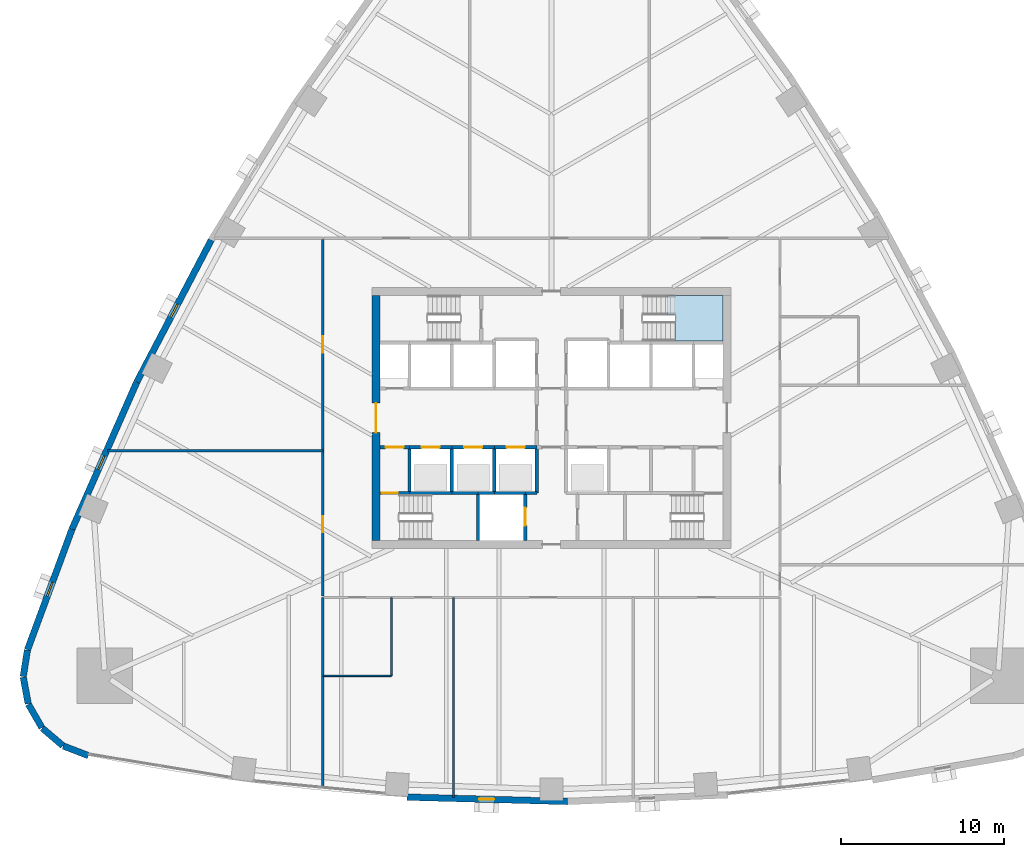
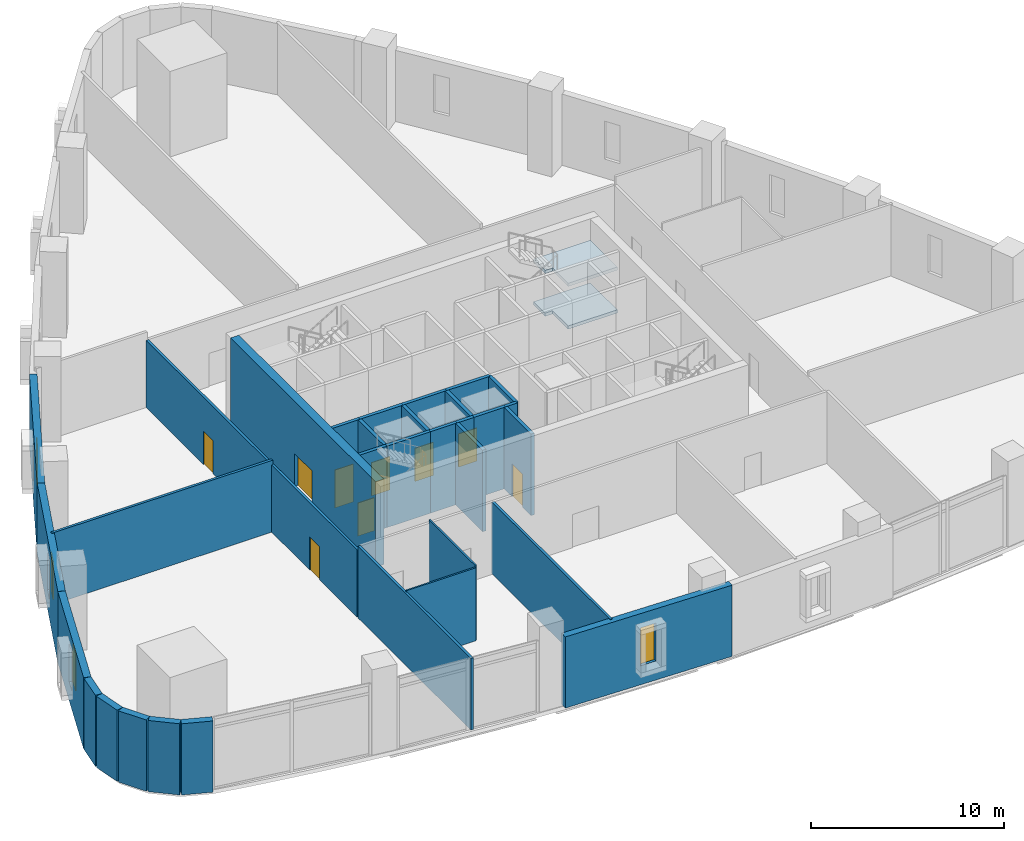
# One storey, part 6 of 14: 32 walls, 9 doors, 4 windows, 2 slabs, 13 openings, 1 element without a shape of its own.
"""IFC4 building model written with IfcOpenShell, lengths in metres."""

from ifc_helpers import new_model, si_unit, direction, frame, frame_2d, origin, place, context, subcontext, project, spatial, polyline, rectangle, outline, extrude, material, layer, layer_set, type_object, element, fill, aggregate, save


model = new_model("IFC4")

# Units and contexts
model_context = context("Model", 3, precision=1e-05, world=origin(), true_north=direction((0.0, 1.0)))
body_context = subcontext(model_context, "Body", "Model", "MODEL_VIEW")
ifc_project = project(units=[si_unit("LENGTHUNIT", "METRE"), si_unit("AREAUNIT", "SQUARE_METRE"), si_unit("VOLUMEUNIT", "CUBIC_METRE"), si_unit("PLANEANGLEUNIT", "RADIAN"), si_unit("MASSUNIT", "GRAM", prefix="KILO")], contexts=[model_context])

# Site, building, storey
site_placement = place(None, origin())
site = spatial("IfcSite", under=ifc_project, at=site_placement, CompositionType="ELEMENT")
building_placement = place(site_placement, origin())
building = spatial("IfcBuilding", under=site, at=building_placement, Name="Sierra Prisma Convention Tower", CompositionType="ELEMENT")
storey_placement = place(building_placement, frame((0.0, 0.0, 16.800048828125)))
storey = spatial("IfcBuildingStorey", under=building, at=storey_placement, Name="L02", CompositionType="ELEMENT", Elevation=16.800048828125)

# Stair, slabs
ifc_material_1 = material(Name="Concrete C30/37", Category="concrete")
stair_type = type_object("IfcStairType", Name="Stair dog-leg 1200 RC", PredefinedType="HALF_TURN_STAIR", material=ifc_material_1)
stair_placement = place(storey_placement, origin())
stair = element("IfcStair", 1, at=stair_placement, inside=storey, type_object=stair_type, Name="L02 S4", PredefinedType="HALF_TURN_STAIR")
ifc_material_2 = material(Name="Concrete C35/45", Category="concrete")
ifc_layer_1 = layer(ifc_material_2, 0.199951171875)
ifc_layer_set_1 = layer_set([ifc_layer_1], Name="Stair landing slab")
slab_type = type_object("IfcSlabType", Name="Stair landing slab", PredefinedType="LANDING", material=ifc_layer_set_1)
slab_1_placement = place(storey_placement, frame((0.0, 0.0, 1.14990234375)))
slab_1 = element("IfcSlab", 2, at=slab_1_placement, type_object=slab_type, Name="S4 landing 1", PredefinedType="LANDING", context=body_context, shape_type="SweptSolid", body=[
    extrude(outline(polyline([(10.5, 7.5), (10.5, 4.699951171875), (7.55810546875, 4.699951171875), (7.55810546875, 6.300048828125), (7.110107421875, 6.300048828125), (7.110107421875, 7.5), (10.5, 7.5)])), origin(), (0.0, 0.0, 1.0), 0.199951171875),
])
slab_2_placement = place(storey_placement, frame((0.0, 0.0, 3.849853515625)))
slab_2 = element("IfcSlab", 3, at=slab_2_placement, type_object=slab_type, Name="S4 landing 3", PredefinedType="LANDING", context=body_context, shape_type="SweptSolid", body=[
    extrude(outline(polyline([(10.5, 7.5), (10.5, 4.699951171875), (7.55810546875, 4.699951171875), (7.55810546875, 6.300048828125), (7.110107421875, 6.300048828125), (7.110107421875, 7.5), (10.5, 7.5)])), origin(), (0.0, 0.0, 1.0), 0.2001953125),
])
aggregate(stair, [slab_1, slab_2])

# Walls
ifc_material_3 = material(Name="Gypsum board partition", Category="gypsum")
ifc_layer_2 = layer(ifc_material_3, 0.10009765625)
ifc_layer_set_2 = layer_set([ifc_layer_2], Name="Bathroom partition 100")
wall_type_1 = type_object("IfcWallType", Name="Bathroom partition 100", PredefinedType="PARTITIONING", material=ifc_layer_set_2)
wall_1_placement = place(storey_placement, frame((-9.800048828125, -11.030029296875, 0.0), z_axis=(0.0, 0.0, 1.0), x_axis=(0.0, -1.0, 0.0)))
element("IfcWall", 4, at=wall_1_placement, inside=storey, type_object=wall_type_1, Name="Partition L02 bath 1", PredefinedType="PARTITIONING", context=body_context, shape_type="SweptSolid", body=[
    extrude(rectangle(XDim=4.77001953125, YDim=0.10009765625, at=frame_2d((2.385009765625, 0.0))), origin(), (0.0, 0.0, 1.0), 4.75),
])
wall_2_placement = place(storey_placement, frame((-9.800048828125, -15.800048828125, 0.0), z_axis=(0.0, 0.0, 1.0), x_axis=(-1.0, 0.0, 0.0)))
element("IfcWall", 5, at=wall_2_placement, inside=storey, type_object=wall_type_1, Name="Partition L02 bath 2", PredefinedType="PARTITIONING", context=body_context, shape_type="SweptSolid", body=[
    extrude(rectangle(XDim=4.169921875, YDim=0.10009765625, at=frame_2d((2.0849609375, 0.0))), origin(), (0.0, 0.0, 1.0), 4.616943359375),
])

# Wall, opening, door
ifc_material_4 = material(Name="Concrete C30/37", Category="concrete")
ifc_layer_3 = layer(ifc_material_4, 0.199951171875)
ifc_layer_set_3 = layer_set([ifc_layer_3], Name="Core wall RC 200 C30/37")
wall_type_2 = type_object("IfcWallType", Name="Core wall RC 200 C30/37", PredefinedType="SOLIDWALL", material=ifc_layer_set_3)
wall_3_placement = place(storey_placement, frame((-10.5, -4.60009765625, 0.0), z_axis=(0.0, 0.0, 1.0), x_axis=(1.0, 0.0, 0.0)))
wall_3 = element("IfcWall", 6, at=wall_3_placement, inside=storey, type_object=wall_type_2, Name="Core wall L02 1", PredefinedType="SOLIDWALL", context=body_context, shape_type="SweptSolid", body=[
    extrude(rectangle(XDim=1.800048828125, YDim=0.199951171875, at=frame_2d((0.89990234375, 0.0))), origin(), (0.0, 0.0, 1.0), 5.14990234375),
])
opening_1_placement = place(wall_3_placement, frame((0.10009765625, 0.0, 0.0)))
opening_1 = element("IfcOpeningElement", 7, at=opening_1_placement, cuts=wall_3, Name="Opening L02-D016", PredefinedType="OPENING", context=body_context, shape_type="SweptSolid", body=[
    extrude(rectangle(XDim=1.0, YDim=2.10009765625, at=frame_2d((0.5, 1.050048828125))), frame((0.0, 0.10009765625, 0.0), z_axis=(0.0, -1.0, 0.0), x_axis=(1.0, 0.0, 0.0)), (0.0, 0.0, 1.0), 0.199951171875),
])
ifc_material_5 = material(Name="Steel fire door leaf", Category="steel")
door_type_1 = type_object("IfcDoorType", Name="Door 1000x2100 FD90S", OperationType="SINGLE_SWING_LEFT", PredefinedType="DOOR", material=ifc_material_5)
door_1_placement = place(opening_1_placement, origin())
door_1 = element("IfcDoor", 8, at=door_1_placement, inside=storey, type_object=door_type_1, Name="Door L02 29", OperationType="SINGLE_SWING_LEFT", OverallHeight=2.10009765625, OverallWidth=1.0, PredefinedType="DOOR", context=body_context, shape_type="SweptSolid", body=[
    extrude(rectangle(XDim=1.0, YDim=2.10009765625, at=frame_2d((0.5, 1.050048828125))), frame((0.0, 0.02490234375, 0.0), z_axis=(0.0, -1.0, 0.0), x_axis=(1.0, 0.0, 0.0)), (0.0, 0.0, 1.0), 0.050048828125),
])
fill(opening_1, door_1)

wall_4_placement = place(storey_placement, frame((-10.5, -1.800048828125, 0.0), z_axis=(0.0, 0.0, 1.0), x_axis=(1.0, 0.0, 0.0)))
wall_4 = element("IfcWall", 9, at=wall_4_placement, inside=storey, type_object=wall_type_2, Name="Core wall L02 2", PredefinedType="SOLIDWALL", context=body_context, shape_type="SweptSolid", body=[
    extrude(rectangle(XDim=1.800048828125, YDim=0.199951171875, at=frame_2d((0.89990234375, 0.0))), origin(), (0.0, 0.0, 1.0), 5.14990234375),
])
opening_2_placement = place(wall_4_placement, frame((0.35009765625, 0.0, 0.0)))
opening_2 = element("IfcOpeningElement", 10, at=opening_2_placement, cuts=wall_4, Name="Opening L02-D010", PredefinedType="OPENING", context=body_context, shape_type="SweptSolid", body=[
    extrude(rectangle(XDim=1.10009765625, YDim=2.39990234375, at=frame_2d((0.550048828125, 1.199951171875))), frame((0.0, 0.10009765625, 0.0), z_axis=(0.0, -1.0, 0.0), x_axis=(1.0, 0.0, 0.0)), (0.0, 0.0, 1.0), 0.199951171875),
])
ifc_material_6 = material(Name="Steel fire door leaf", Category="steel")
door_type_2 = type_object("IfcDoorType", Name="Door 1100x2400 FD90S", OperationType="SINGLE_SWING_LEFT", PredefinedType="DOOR", material=ifc_material_6)
door_2_placement = place(opening_2_placement, origin())
door_2 = element("IfcDoor", 11, at=door_2_placement, inside=storey, type_object=door_type_2, Name="Door L02 23", OperationType="SINGLE_SWING_LEFT", OverallHeight=2.39990234375, OverallWidth=1.10009765625, PredefinedType="DOOR", context=body_context, shape_type="SweptSolid", body=[
    extrude(rectangle(XDim=1.10009765625, YDim=2.39990234375, at=frame_2d((0.550048828125, 1.199951171875))), frame((0.0, 0.02490234375, 0.0), z_axis=(0.0, -1.0, 0.0), x_axis=(1.0, 0.0, 0.0)), (0.0, 0.0, 1.0), 0.050048828125),
])
fill(opening_2, door_2)

# Walls
wall_5_placement = place(storey_placement, frame((-8.699951171875, -4.60009765625, 0.0), z_axis=(0.0, 0.0, 1.0), x_axis=(1.0, 0.0, 0.0)))
element("IfcWall", 12, at=wall_5_placement, inside=storey, type_object=wall_type_2, Name="Core wall L02 5", PredefinedType="SOLIDWALL", context=body_context, shape_type="SweptSolid", body=[
    extrude(rectangle(XDim=2.599853515625, YDim=0.199951171875, at=frame_2d((1.2998046875, 0.0))), origin(), (0.0, 0.0, 1.0), 5.14990234375),
])
wall_6_placement = place(storey_placement, frame((-8.699951171875, -4.60009765625, 0.0), z_axis=(0.0, 0.0, 1.0), x_axis=(0.0, 1.0, 0.0)))
element("IfcWall", 13, at=wall_6_placement, inside=storey, type_object=wall_type_2, Name="Core wall L02 6", PredefinedType="SOLIDWALL", context=body_context, shape_type="SweptSolid", body=[
    extrude(rectangle(XDim=2.800048828125, YDim=0.199951171875, at=frame_2d((1.39990234375, 0.0))), origin(), (0.0, 0.0, 1.0), 5.14990234375),
])

# Wall, opening, door
wall_7_placement = place(storey_placement, frame((-8.699951171875, -1.800048828125, 0.0), z_axis=(0.0, 0.0, 1.0), x_axis=(1.0, 0.0, 0.0)))
wall_7 = element("IfcWall", 14, at=wall_7_placement, inside=storey, type_object=wall_type_2, Name="Core wall L02 7", PredefinedType="SOLIDWALL", context=body_context, shape_type="SweptSolid", body=[
    extrude(rectangle(XDim=2.599853515625, YDim=0.199951171875, at=frame_2d((1.2998046875, 0.0))), origin(), (0.0, 0.0, 1.0), 5.14990234375),
])
opening_3_placement = place(wall_7_placement, frame((0.75, 0.0, 0.0)))
opening_3 = element("IfcOpeningElement", 15, at=opening_3_placement, cuts=wall_7, Name="Opening L02-D001", PredefinedType="OPENING", context=body_context, shape_type="SweptSolid", body=[
    extrude(rectangle(XDim=1.10009765625, YDim=2.10009765625, at=frame_2d((0.550048828125, 1.050048828125))), frame((0.0, 0.10009765625, 0.0), z_axis=(0.0, -1.0, 0.0), x_axis=(1.0, 0.0, 0.0)), (0.0, 0.0, 1.0), 0.199951171875),
])
ifc_material_7 = material(Name="Steel fire door leaf", Category="steel")
door_type_3 = type_object("IfcDoorType", Name="Door 1100x2100 EI 90 sliding lift landing", OperationType="SLIDING_TO_LEFT", PredefinedType="DOOR", material=ifc_material_7)
door_3_placement = place(opening_3_placement, origin())
door_3 = element("IfcDoor", 16, at=door_3_placement, inside=storey, type_object=door_type_3, Name="Door L02 14", OperationType="SLIDING_TO_LEFT", OverallHeight=2.10009765625, OverallWidth=1.10009765625, PredefinedType="DOOR", context=body_context, shape_type="SweptSolid", body=[
    extrude(rectangle(XDim=1.10009765625, YDim=2.10009765625, at=frame_2d((0.550048828125, 1.050048828125))), frame((0.0, 0.02490234375, 0.0), z_axis=(0.0, -1.0, 0.0), x_axis=(1.0, 0.0, 0.0)), (0.0, 0.0, 1.0), 0.050048828125),
])
fill(opening_3, door_3)

# Walls
wall_8_placement = place(storey_placement, frame((-6.10009765625, -4.60009765625, 0.0), z_axis=(0.0, 0.0, 1.0), x_axis=(1.0, 0.0, 0.0)))
element("IfcWall", 17, at=wall_8_placement, inside=storey, type_object=wall_type_2, Name="Core wall L02 11", PredefinedType="SOLIDWALL", context=body_context, shape_type="SweptSolid", body=[
    extrude(rectangle(XDim=1.60009765625, YDim=0.199951171875, at=frame_2d((0.800048828125, 0.0))), origin(), (0.0, 0.0, 1.0), 5.14990234375),
])
wall_9_placement = place(storey_placement, frame((-6.10009765625, -4.60009765625, 0.0), z_axis=(0.0, 0.0, 1.0), x_axis=(0.0, 1.0, 0.0)))
element("IfcWall", 18, at=wall_9_placement, inside=storey, type_object=wall_type_2, Name="Core wall L02 12", PredefinedType="SOLIDWALL", context=body_context, shape_type="SweptSolid", body=[
    extrude(rectangle(XDim=2.800048828125, YDim=0.199951171875, at=frame_2d((1.39990234375, 0.0))), origin(), (0.0, 0.0, 1.0), 5.14990234375),
])

# Wall, opening, door
wall_10_placement = place(storey_placement, frame((-6.10009765625, -1.800048828125, 0.0), z_axis=(0.0, 0.0, 1.0), x_axis=(1.0, 0.0, 0.0)))
wall_10 = element("IfcWall", 19, at=wall_10_placement, inside=storey, type_object=wall_type_2, Name="Core wall L02 13", PredefinedType="SOLIDWALL", context=body_context, shape_type="SweptSolid", body=[
    extrude(rectangle(XDim=2.60009765625, YDim=0.199951171875, at=frame_2d((1.300048828125, 0.0))), origin(), (0.0, 0.0, 1.0), 5.14990234375),
])
opening_4_placement = place(wall_10_placement, frame((0.75, 0.0, 0.0)))
opening_4 = element("IfcOpeningElement", 20, at=opening_4_placement, cuts=wall_10, Name="Opening L02-D002", PredefinedType="OPENING", context=body_context, shape_type="SweptSolid", body=[
    extrude(rectangle(XDim=1.10009765625, YDim=2.10009765625, at=frame_2d((0.550048828125, 1.050048828125))), frame((0.0, 0.10009765625, 0.0), z_axis=(0.0, -1.0, 0.0), x_axis=(1.0, 0.0, 0.0)), (0.0, 0.0, 1.0), 0.199951171875),
])
door_4_placement = place(opening_4_placement, origin())
door_4 = element("IfcDoor", 21, at=door_4_placement, inside=storey, type_object=door_type_3, Name="Door L02 15", OperationType="SLIDING_TO_RIGHT", OverallHeight=2.10009765625, OverallWidth=1.10009765625, PredefinedType="DOOR", context=body_context, shape_type="SweptSolid", body=[
    extrude(rectangle(XDim=1.10009765625, YDim=2.10009765625, at=frame_2d((0.550048828125, 1.050048828125))), frame((0.0, 0.02490234375, 0.0), z_axis=(0.0, -1.0, 0.0), x_axis=(1.0, 0.0, 0.0)), (0.0, 0.0, 1.0), 0.050048828125),
])
fill(opening_4, door_4)

# Walls
wall_11_placement = place(storey_placement, frame((-4.5, -4.60009765625, 0.0), z_axis=(0.0, 0.0, 1.0), x_axis=(0.0, -1.0, 0.0)))
element("IfcWall", 22, at=wall_11_placement, inside=storey, type_object=wall_type_2, Name="Core wall L02 17", PredefinedType="SOLIDWALL", context=body_context, shape_type="SweptSolid", body=[
    extrude(rectangle(XDim=2.89990234375, YDim=0.199951171875, at=frame_2d((1.449951171875, 0.0))), origin(), (0.0, 0.0, 1.0), 5.14990234375),
])
wall_12_placement = place(storey_placement, frame((-4.5, -4.60009765625, 0.0), z_axis=(0.0, 0.0, 1.0), x_axis=(1.0, 0.0, 0.0)))
element("IfcWall", 23, at=wall_12_placement, inside=storey, type_object=wall_type_2, Name="Core wall L02 18", PredefinedType="SOLIDWALL", context=body_context, shape_type="SweptSolid", body=[
    extrude(rectangle(XDim=1.0, YDim=0.199951171875, at=frame_2d((0.5, 0.0))), origin(), (0.0, 0.0, 1.0), 5.14990234375),
])
wall_13_placement = place(storey_placement, frame((-3.5, -4.60009765625, 0.0), z_axis=(0.0, 0.0, 1.0), x_axis=(1.0, 0.0, 0.0)))
element("IfcWall", 24, at=wall_13_placement, inside=storey, type_object=wall_type_2, Name="Core wall L02 21", PredefinedType="SOLIDWALL", context=body_context, shape_type="SweptSolid", body=[
    extrude(rectangle(XDim=1.89990234375, YDim=0.199951171875, at=frame_2d((0.949951171875, 0.0))), origin(), (0.0, 0.0, 1.0), 5.14990234375),
])
wall_14_placement = place(storey_placement, frame((-3.5, -4.60009765625, 0.0), z_axis=(0.0, 0.0, 1.0), x_axis=(0.0, 1.0, 0.0)))
element("IfcWall", 25, at=wall_14_placement, inside=storey, type_object=wall_type_2, Name="Core wall L02 22", PredefinedType="SOLIDWALL", context=body_context, shape_type="SweptSolid", body=[
    extrude(rectangle(XDim=2.800048828125, YDim=0.199951171875, at=frame_2d((1.39990234375, 0.0))), origin(), (0.0, 0.0, 1.0), 5.14990234375),
])

# Wall, opening, door
wall_15_placement = place(storey_placement, frame((-3.5, -1.800048828125, 0.0), z_axis=(0.0, 0.0, 1.0), x_axis=(1.0, 0.0, 0.0)))
wall_15 = element("IfcWall", 26, at=wall_15_placement, inside=storey, type_object=wall_type_2, Name="Core wall L02 23", PredefinedType="SOLIDWALL", context=body_context, shape_type="SweptSolid", body=[
    extrude(rectangle(XDim=2.60009765625, YDim=0.199951171875, at=frame_2d((1.300048828125, 0.0))), origin(), (0.0, 0.0, 1.0), 5.14990234375),
])
opening_5_placement = place(wall_15_placement, frame((0.75, 0.0, 0.0)))
opening_5 = element("IfcOpeningElement", 27, at=opening_5_placement, cuts=wall_15, Name="Opening L02-D003", PredefinedType="OPENING", context=body_context, shape_type="SweptSolid", body=[
    extrude(rectangle(XDim=1.10009765625, YDim=2.10009765625, at=frame_2d((0.550048828125, 1.050048828125))), frame((0.0, 0.10009765625, 0.0), z_axis=(0.0, -1.0, 0.0), x_axis=(1.0, 0.0, 0.0)), (0.0, 0.0, 1.0), 0.199951171875),
])
door_5_placement = place(opening_5_placement, origin())
door_5 = element("IfcDoor", 28, at=door_5_placement, inside=storey, type_object=door_type_3, Name="Door L02 16", OperationType="SLIDING_TO_RIGHT", OverallHeight=2.10009765625, OverallWidth=1.10009765625, PredefinedType="DOOR", context=body_context, shape_type="SweptSolid", body=[
    extrude(rectangle(XDim=1.10009765625, YDim=2.10009765625, at=frame_2d((0.550048828125, 1.050048828125))), frame((0.0, 0.02490234375, 0.0), z_axis=(0.0, -1.0, 0.0), x_axis=(1.0, 0.0, 0.0)), (0.0, 0.0, 1.0), 0.050048828125),
])
fill(opening_5, door_5)

wall_16_placement = place(storey_placement, frame((-1.60009765625, -7.5, 0.0), z_axis=(0.0, 0.0, 1.0), x_axis=(0.0, 1.0, 0.0)))
wall_16 = element("IfcWall", 29, at=wall_16_placement, inside=storey, type_object=wall_type_2, Name="Core wall L02 29", PredefinedType="SOLIDWALL", context=body_context, shape_type="SweptSolid", body=[
    extrude(rectangle(XDim=2.89990234375, YDim=0.199951171875, at=frame_2d((1.449951171875, 0.0))), origin(), (0.0, 0.0, 1.0), 5.14990234375),
])
opening_6_placement = place(wall_16_placement, frame((0.89990234375, 0.0, 0.0)))
opening_6 = element("IfcOpeningElement", 30, at=opening_6_placement, cuts=wall_16, Name="Opening L02-D007", PredefinedType="OPENING", context=body_context, shape_type="SweptSolid", body=[
    extrude(rectangle(XDim=1.10009765625, YDim=2.10009765625, at=frame_2d((0.550048828125, 1.050048828125))), frame((0.0, 0.10009765625, 0.0), z_axis=(0.0, -1.0, 0.0), x_axis=(1.0, 0.0, 0.0)), (0.0, 0.0, 1.0), 0.199951171875),
])
door_6_placement = place(opening_6_placement, origin())
door_6 = element("IfcDoor", 31, at=door_6_placement, inside=storey, type_object=door_type_3, Name="Door L02 20", OperationType="SLIDING_TO_LEFT", OverallHeight=2.10009765625, OverallWidth=1.10009765625, PredefinedType="DOOR", context=body_context, shape_type="SweptSolid", body=[
    extrude(rectangle(XDim=1.10009765625, YDim=2.10009765625, at=frame_2d((0.550048828125, 1.050048828125))), frame((0.0, 0.02490234375, 0.0), z_axis=(0.0, -1.0, 0.0), x_axis=(1.0, 0.0, 0.0)), (0.0, 0.0, 1.0), 0.050048828125),
])
fill(opening_6, door_6)

# Walls
wall_17_placement = place(storey_placement, frame((-1.60009765625, -4.60009765625, 0.0), z_axis=(0.0, 0.0, 1.0), x_axis=(1.0, 0.0, 0.0)))
element("IfcWall", 32, at=wall_17_placement, inside=storey, type_object=wall_type_2, Name="Core wall L02 30", PredefinedType="SOLIDWALL", context=body_context, shape_type="SweptSolid", body=[
    extrude(rectangle(XDim=0.7001953125, YDim=0.199951171875, at=frame_2d((0.35009765625, 0.0))), origin(), (0.0, 0.0, 1.0), 5.14990234375),
])
wall_18_placement = place(storey_placement, frame((-0.89990234375, -4.60009765625, 0.0), z_axis=(0.0, 0.0, 1.0), x_axis=(0.0, 1.0, 0.0)))
element("IfcWall", 33, at=wall_18_placement, inside=storey, type_object=wall_type_2, Name="Core wall L02 31", PredefinedType="SOLIDWALL", context=body_context, shape_type="SweptSolid", body=[
    extrude(rectangle(XDim=2.800048828125, YDim=0.199951171875, at=frame_2d((1.39990234375, 0.0))), origin(), (0.0, 0.0, 1.0), 5.14990234375),
])

# Wall, opening, door
ifc_material_8 = material(Name="Concrete C70/85", Category="concrete")
ifc_layer_4 = layer(ifc_material_8, 0.5)
ifc_layer_set_4 = layer_set([ifc_layer_4], Name="Core wall RC 500 C70/85")
wall_type_3 = type_object("IfcWallType", Name="Core wall RC 500 C70/85", PredefinedType="SHEAR", material=ifc_layer_set_4)
wall_19_placement = place(storey_placement, frame((-10.75, -7.5, 0.0), z_axis=(0.0, 0.0, 1.0), x_axis=(0.0, 1.0, 0.0)))
wall_19 = element("IfcWall", 34, at=wall_19_placement, inside=storey, type_object=wall_type_3, Name="Core wall W L02", PredefinedType="SHEAR", context=body_context, shape_type="SweptSolid", body=[
    extrude(rectangle(XDim=15.0, YDim=0.5, at=frame_2d((7.5, 0.0))), origin(), (0.0, 0.0, 1.0), 5.39990234375),
])
opening_7_placement = place(wall_19_placement, frame((6.60009765625, 0.0, 0.0)))
opening_7 = element("IfcOpeningElement", 35, at=opening_7_placement, cuts=wall_19, Name="Opening L02-D039", PredefinedType="OPENING", context=body_context, shape_type="SweptSolid", body=[
    extrude(rectangle(XDim=1.800048828125, YDim=2.10009765625, at=frame_2d((0.89990234375, 1.050048828125))), frame((0.0, 0.25, 0.0), z_axis=(0.0, -1.0, 0.0), x_axis=(1.0, 0.0, 0.0)), (0.0, 0.0, 1.0), 0.5),
])
ifc_material_9 = material(Name="Steel fire door leaf", Category="steel")
door_type_4 = type_object("IfcDoorType", Name="Door 1800x2100 FD60S", OperationType="DOUBLE_DOOR_SINGLE_SWING", PredefinedType="DOOR", material=ifc_material_9)
door_7_placement = place(opening_7_placement, origin())
door_7 = element("IfcDoor", 36, at=door_7_placement, inside=storey, type_object=door_type_4, Name="Door L02 36", OperationType="DOUBLE_DOOR_SINGLE_SWING", OverallHeight=2.10009765625, OverallWidth=1.800048828125, PredefinedType="DOOR", context=body_context, shape_type="SweptSolid", body=[
    extrude(rectangle(XDim=1.800048828125, YDim=2.10009765625, at=frame_2d((0.89990234375, 1.050048828125))), frame((0.0, 0.02490234375, 0.0), z_axis=(0.0, -1.0, 0.0), x_axis=(1.0, 0.0, 0.0)), (0.0, 0.0, 1.0), 0.050048828125),
])
fill(opening_7, door_7)

# Wall, openings, doors
ifc_material_10 = material(Name="Gypsum board partition", Category="gypsum")
ifc_layer_5 = layer(ifc_material_10, 0.14990234375)
ifc_layer_set_5 = layer_set([ifc_layer_5], Name="Corridor wall 150 gypsum EI 60")
wall_type_4 = type_object("IfcWallType", Name="Corridor wall 150 gypsum EI 60", PredefinedType="PARTITIONING", material=ifc_layer_set_5)
wall_20_placement = place(storey_placement, frame((-14.0, 10.919921875, 0.0), z_axis=(0.0, 0.0, 1.0), x_axis=(0.0, -1.0, 0.0)))
wall_20 = element("IfcWall", 37, at=wall_20_placement, inside=storey, type_object=wall_type_4, Name="Partition L02 corr 1", PredefinedType="PARTITIONING", context=body_context, shape_type="SweptSolid", body=[
    extrude(rectangle(XDim=21.83984375, YDim=0.14990234375, at=frame_2d((10.919921875, 0.0))), origin(), (0.0, 0.0, 1.0), 4.2470703125),
])
opening_8_placement = place(wall_20_placement, frame((5.919921875, 0.0, 0.0)))
opening_8 = element("IfcOpeningElement", 38, at=opening_8_placement, cuts=wall_20, Name="Opening L02-D028", PredefinedType="OPENING", context=body_context, shape_type="SweptSolid", body=[
    extrude(rectangle(XDim=1.0, YDim=2.10009765625, at=frame_2d((0.5, 1.050048828125))), frame((0.0, 0.074951171875, 0.0), z_axis=(0.0, -1.0, 0.0), x_axis=(1.0, 0.0, 0.0)), (0.0, 0.0, 1.0), 0.14990234375),
])
opening_9_placement = place(wall_20_placement, frame((16.929931640625, 0.0, 0.0)))
opening_9 = element("IfcOpeningElement", 39, at=opening_9_placement, cuts=wall_20, Name="Opening L02-D029", PredefinedType="OPENING", context=body_context, shape_type="SweptSolid", body=[
    extrude(rectangle(XDim=1.0, YDim=2.10009765625, at=frame_2d((0.5, 1.050048828125))), frame((0.0, 0.074951171875, 0.0), z_axis=(0.0, -1.0, 0.0), x_axis=(1.0, 0.0, 0.0)), (0.0, 0.0, 1.0), 0.14990234375),
])
ifc_material_11 = material(Name="Steel fire door leaf", Category="steel")
door_type_5 = type_object("IfcDoorType", Name="Door 1000x2100 FD30S", OperationType="SINGLE_SWING_LEFT", PredefinedType="DOOR", material=ifc_material_11)
door_8_placement = place(opening_8_placement, origin())
door_8 = element("IfcDoor", 40, at=door_8_placement, inside=storey, type_object=door_type_5, Name="Door L02 6", OperationType="SINGLE_SWING_RIGHT", OverallHeight=2.10009765625, OverallWidth=1.0, PredefinedType="DOOR", context=body_context, shape_type="SweptSolid", body=[
    extrude(rectangle(XDim=1.0, YDim=2.10009765625, at=frame_2d((0.5, 1.050048828125))), frame((0.0, 0.02490234375, 0.0), z_axis=(0.0, -1.0, 0.0), x_axis=(1.0, 0.0, 0.0)), (0.0, 0.0, 1.0), 0.050048828125),
])
fill(opening_8, door_8)
door_9_placement = place(opening_9_placement, origin())
door_9 = element("IfcDoor", 41, at=door_9_placement, inside=storey, type_object=door_type_5, Name="Door L02 7", OperationType="SINGLE_SWING_LEFT", OverallHeight=2.10009765625, OverallWidth=1.0, PredefinedType="DOOR", context=body_context, shape_type="SweptSolid", body=[
    extrude(rectangle(XDim=1.0, YDim=2.10009765625, at=frame_2d((0.5, 1.050048828125))), frame((0.0, 0.02490234375, 0.0), z_axis=(0.0, -1.0, 0.0), x_axis=(1.0, 0.0, 0.0)), (0.0, 0.0, 1.0), 0.050048828125),
])
fill(opening_9, door_9)

# Walls
ifc_material_12 = material(Name="Gypsum board partition", Category="gypsum")
ifc_layer_6 = layer(ifc_material_12, 0.14990234375)
ifc_layer_set_6 = layer_set([ifc_layer_6], Name="Party wall 150 gypsum")
wall_type_5 = type_object("IfcWallType", Name="Party wall 150 gypsum", PredefinedType="PARTITIONING", material=ifc_layer_set_6)
wall_21_placement = place(storey_placement, frame((-14.0, -2.0, 0.0), z_axis=(0.0, 0.0, 1.0), x_axis=(-1.0, 0.0, 0.0)))
element("IfcWall", 42, at=wall_21_placement, inside=storey, type_object=wall_type_5, Name="Partition L02 party 1", PredefinedType="PARTITIONING", context=body_context, shape_type="SweptSolid", body=[
    extrude(rectangle(XDim=13.205810546875, YDim=0.14990234375, at=frame_2d((6.60302734375, 0.0))), origin(), (0.0, 0.0, 1.0), 4.533935546875),
])
wall_22_placement = place(storey_placement, frame((-14.0, -11.0, 0.0), z_axis=(0.0, 0.0, 1.0), x_axis=(0.0, -1.0, 0.0)))
element("IfcWall", 43, at=wall_22_placement, inside=storey, type_object=wall_type_5, Name="Partition L02 party 3", PredefinedType="PARTITIONING", context=body_context, shape_type="SweptSolid", body=[
    extrude(rectangle(XDim=11.697021484375, YDim=0.14990234375, at=frame_2d((5.8486328125, 0.0))), origin(), (0.0, 0.0, 1.0), 4.533935546875),
])
wall_23_placement = place(storey_placement, frame((-6.0, -11.0, 0.0), z_axis=(0.0, 0.0, 1.0), x_axis=(0.0, -1.0, 0.0)))
element("IfcWall", 44, at=wall_23_placement, inside=storey, type_object=wall_type_5, Name="Partition L02 party 4", PredefinedType="PARTITIONING", context=body_context, shape_type="SweptSolid", body=[
    extrude(rectangle(XDim=12.251953125, YDim=0.14990234375, at=frame_2d((6.1259765625, 0.0))), origin(), (0.0, 0.0, 1.0), 4.533935546875),
])

# Wall, opening, window
ifc_material_13 = material(Name="Concrete C40/50, terracotta plaster finish", Category="masonry")
ifc_layer_7 = layer(ifc_material_13, 0.39990234375)
ifc_layer_set_7 = layer_set([ifc_layer_7], Name="Podium plastered wall 400")
wall_type_6 = type_object("IfcWallType", Name="Podium plastered wall 400", PredefinedType="STANDARD", material=ifc_layer_set_7)
wall_24_placement = place(storey_placement, frame((-25.403564453125, 2.191162109375, 0.0), z_axis=(0.0, 0.0, 1.0), x_axis=(0.464246519602, 0.885706028566, 0.0)))
wall_24 = element("IfcWall", 45, at=wall_24_placement, inside=storey, type_object=wall_type_6, Name="Podium wall L02 19", PredefinedType="STANDARD", context=body_context, shape_type="SweptSolid", body=[
    extrude(rectangle(XDim=9.82568359375, YDim=0.39990234375, at=frame_2d((4.912841796875, 0.0))), origin(), (0.0, 0.0, 1.0), 4.5),
])
opening_10_placement = place(wall_24_placement, frame((4.5, 0.0, 1.199951171875)))
opening_10 = element("IfcOpeningElement", 46, at=opening_10_placement, cuts=wall_24, Name="Opening L02-W10", PredefinedType="OPENING", context=body_context, shape_type="SweptSolid", body=[
    extrude(rectangle(XDim=0.89990234375, YDim=2.39990234375, at=frame_2d((0.449951171875, 1.199951171875))), frame((0.0, 0.199951171875, 0.0), z_axis=(0.0, -1.0, 0.0), x_axis=(1.0, 0.0, 0.0)), (0.0, 0.0, 1.0), 0.39990234375),
])
ifc_material_14 = material(Name="Tinted glass, bronze aluminium frame", Category="aluminium")
window_type = type_object("IfcWindowType", Name="Podium slot window 900 x 2400", PartitioningType="SINGLE_PANEL", PredefinedType="WINDOW", material=ifc_material_14)
window_1_placement = place(opening_10_placement, origin())
window_1 = element("IfcWindow", 47, at=window_1_placement, inside=storey, type_object=window_type, Name="Slot window", OverallHeight=2.39990234375, OverallWidth=0.89990234375, PartitioningType="SINGLE_PANEL", PredefinedType="WINDOW", context=body_context, shape_type="SweptSolid", body=[
    extrude(rectangle(XDim=0.89990234375, YDim=2.39990234375, at=frame_2d((0.449951171875, 1.199951171875))), frame((0.0, 0.030029296875, 0.0), z_axis=(0.0, -1.0, 0.0), x_axis=(1.0, 0.0, 0.0)), (0.0, 0.0, 1.0), 0.06005859375),
])
fill(opening_10, window_1)

wall_25_placement = place(storey_placement, frame((-29.3662109375, -6.8076171875, 0.0), z_axis=(0.0, 0.0, 1.0), x_axis=(0.40298923147, 0.915204719895, 0.0)))
wall_25 = element("IfcWall", 48, at=wall_25_placement, inside=storey, type_object=wall_type_6, Name="Podium wall L02 20", PredefinedType="STANDARD", context=body_context, shape_type="SweptSolid", body=[
    extrude(rectangle(XDim=9.825927734375, YDim=0.39990234375, at=frame_2d((4.9130859375, 0.0))), origin(), (0.0, 0.0, 1.0), 4.5),
])
opening_11_placement = place(wall_25_placement, frame((4.0, 0.0, 1.199951171875)))
opening_11 = element("IfcOpeningElement", 49, at=opening_11_placement, cuts=wall_25, Name="Opening L02-W11", PredefinedType="OPENING", context=body_context, shape_type="SweptSolid", body=[
    extrude(rectangle(XDim=0.89990234375, YDim=2.39990234375, at=frame_2d((0.449951171875, 1.199951171875))), frame((0.0, 0.199951171875, 0.0), z_axis=(0.0, -1.0, 0.0), x_axis=(1.0, 0.0, 0.0)), (0.0, 0.0, 1.0), 0.39990234375),
])
window_2_placement = place(opening_11_placement, origin())
window_2 = element("IfcWindow", 50, at=window_2_placement, inside=storey, type_object=window_type, Name="Slot window", OverallHeight=2.39990234375, OverallWidth=0.89990234375, PartitioningType="SINGLE_PANEL", PredefinedType="WINDOW", context=body_context, shape_type="SweptSolid", body=[
    extrude(rectangle(XDim=0.89990234375, YDim=2.39990234375, at=frame_2d((0.449951171875, 1.199951171875))), frame((0.0, 0.030029296875, 0.0), z_axis=(0.0, -1.0, 0.0), x_axis=(1.0, 0.0, 0.0)), (0.0, 0.0, 1.0), 0.06005859375),
])
fill(opening_11, window_2)

wall_26_placement = place(storey_placement, frame((-32.09423828125, -14.199462890625, 0.0), z_axis=(0.0, 0.0, 1.0), x_axis=(0.346208249512, 0.938157688222, 0.0)))
wall_26 = element("IfcWall", 51, at=wall_26_placement, inside=storey, type_object=wall_type_6, Name="Podium wall L02 21", PredefinedType="STANDARD", context=body_context, shape_type="SweptSolid", body=[
    extrude(rectangle(XDim=7.873291015625, YDim=0.39990234375, at=frame_2d((3.9365234375, 0.0))), origin(), (0.0, 0.0, 1.0), 4.5),
])
opening_12_placement = place(wall_26_placement, frame((3.5, 0.0, 1.199951171875)))
opening_12 = element("IfcOpeningElement", 52, at=opening_12_placement, cuts=wall_26, Name="Opening L02-W12", PredefinedType="OPENING", context=body_context, shape_type="SweptSolid", body=[
    extrude(rectangle(XDim=0.89990234375, YDim=2.39990234375, at=frame_2d((0.449951171875, 1.199951171875))), frame((0.0, 0.199951171875, 0.0), z_axis=(0.0, -1.0, 0.0), x_axis=(1.0, 0.0, 0.0)), (0.0, 0.0, 1.0), 0.39990234375),
])
window_3_placement = place(opening_12_placement, origin())
window_3 = element("IfcWindow", 53, at=window_3_placement, inside=storey, type_object=window_type, Name="Slot window", OverallHeight=2.39990234375, OverallWidth=0.89990234375, PartitioningType="SINGLE_PANEL", PredefinedType="WINDOW", context=body_context, shape_type="SweptSolid", body=[
    extrude(rectangle(XDim=0.89990234375, YDim=2.39990234375, at=frame_2d((0.449951171875, 1.199951171875))), frame((0.0, 0.030029296875, 0.0), z_axis=(0.0, -1.0, 0.0), x_axis=(1.0, 0.0, 0.0)), (0.0, 0.0, 1.0), 0.06005859375),
])
fill(opening_12, window_3)

# Walls
wall_27_placement = place(storey_placement, frame((-32.355712890625, -15.8447265625, 0.0), z_axis=(0.0, 0.0, 1.0), x_axis=(0.155711266073, 0.98780261268, 0.0)))
element("IfcWall", 54, at=wall_27_placement, inside=storey, type_object=wall_type_6, Name="Podium wall L02 22", PredefinedType="STANDARD", context=body_context, shape_type="SweptSolid", body=[
    extrude(rectangle(XDim=1.646240234375, YDim=0.39990234375, at=frame_2d((0.8232421875, 0.0))), origin(), (0.0, 0.0, 1.0), 4.5),
])
for number, where, z_axis, x_axis, name in (
    (55, (-32.05224609375, -17.50927734375, 0.0), (0.0, 0.0, 1.0), (-0.182653168579, 0.983177410241, 0.0), "Podium wall L02 23"),
    (56, (-31.211181640625, -18.9775390625, 0.0), (0.0, 0.0, 1.0), (-0.499985761608, 0.866033624168, 0.0), "Podium wall L02 24"),
    (57, (-29.9287109375, -20.0810546875, 0.0), (0.0, 0.0, 1.0), (-0.760211621525, 0.649675527089, 0.0), "Podium wall L02 25"),
):
    element("IfcWall", number, at=place(storey_placement, frame(where, z_axis=z_axis, x_axis=x_axis)), inside=storey, type_object=wall_type_6, Name=name, PredefinedType="STANDARD", context=body_context, shape_type="SweptSolid", body=[
        extrude(rectangle(XDim=1.65869140625, YDim=0.39990234375, at=frame_2d((0.829345703125, 0.0))), origin(), (0.0, 0.0, 1.0), 4.5),
    ])
wall_28_placement = place(storey_placement, frame((-28.36328125, -20.689453125, 0.0), z_axis=(0.0, 0.0, 1.0), x_axis=(-0.933315023429, 0.359058584415, 0.0)))
element("IfcWall", 58, at=wall_28_placement, inside=storey, type_object=wall_type_6, Name="Podium wall L02 26", PredefinedType="STANDARD", context=body_context, shape_type="SweptSolid", body=[
    extrude(rectangle(XDim=1.646240234375, YDim=0.39990234375, at=frame_2d((0.8232421875, 0.0))), origin(), (0.0, 0.0, 1.0), 4.5),
])

# Wall, opening, window
wall_29_placement = place(storey_placement, frame((0.97998046875, -23.49658203125, 0.0), z_axis=(0.0, 0.0, 1.0), x_axis=(-0.999629782494, 0.027208416899, 0.0)))
wall_29 = element("IfcWall", 59, at=wall_29_placement, inside=storey, type_object=wall_type_6, Name="Podium wall L02 29", PredefinedType="STANDARD", context=body_context, shape_type="SweptSolid", body=[
    extrude(rectangle(XDim=9.825439453125, YDim=0.39990234375, at=frame_2d((4.91259765625, 0.0))), origin(), (0.0, 0.0, 1.0), 4.5),
])
opening_13_placement = place(wall_29_placement, frame((4.5, 0.0, 1.199951171875)))
opening_13 = element("IfcOpeningElement", 60, at=opening_13_placement, cuts=wall_29, Name="Opening L02-W13", PredefinedType="OPENING", context=body_context, shape_type="SweptSolid", body=[
    extrude(rectangle(XDim=0.89990234375, YDim=2.39990234375, at=frame_2d((0.449951171875, 1.199951171875))), frame((0.0, 0.199951171875, 0.0), z_axis=(0.0, -1.0, 0.0), x_axis=(1.0, 0.0, 0.0)), (0.0, 0.0, 1.0), 0.39990234375),
])
window_4_placement = place(opening_13_placement, origin())
window_4 = element("IfcWindow", 61, at=window_4_placement, inside=storey, type_object=window_type, Name="Slot window", OverallHeight=2.39990234375, OverallWidth=0.89990234375, PartitioningType="SINGLE_PANEL", PredefinedType="WINDOW", context=body_context, shape_type="SweptSolid", body=[
    extrude(rectangle(XDim=0.89990234375, YDim=2.39990234375, at=frame_2d((0.449951171875, 1.199951171875))), frame((0.0, 0.030029296875, 0.0), z_axis=(0.0, -1.0, 0.0), x_axis=(1.0, 0.0, 0.0)), (0.0, 0.0, 1.0), 0.06005859375),
])
fill(opening_13, window_4)

save(model, "model.ifc")
